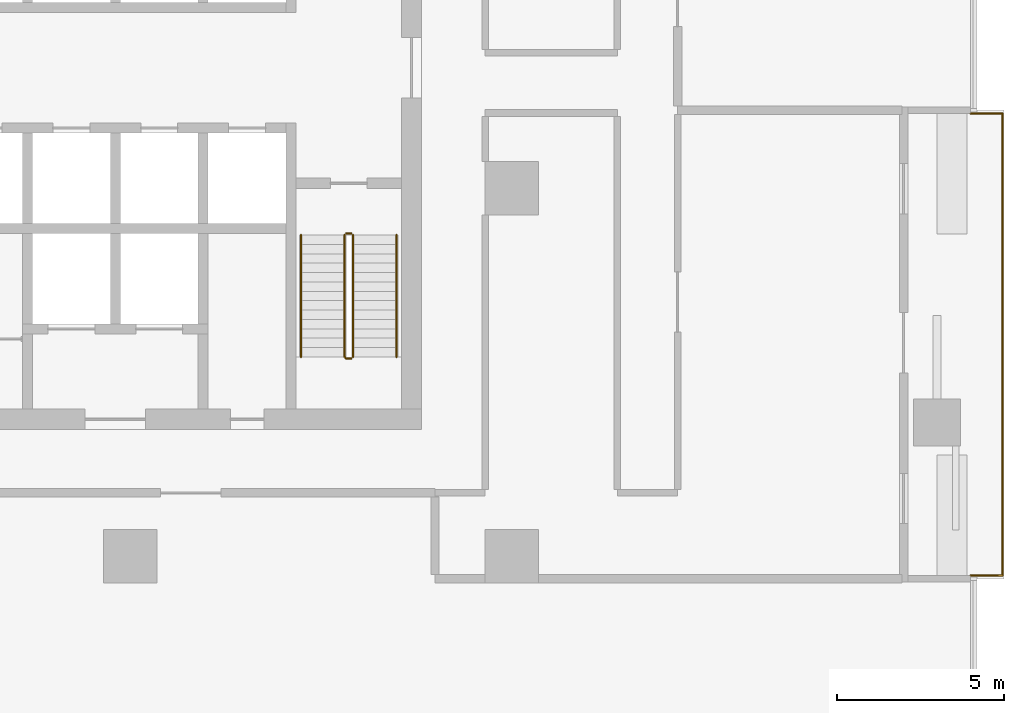
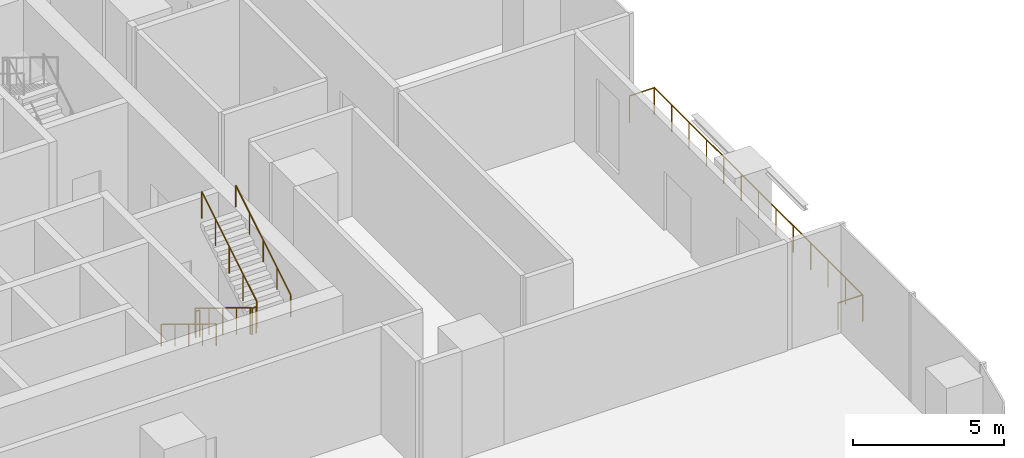
# One storey, part 13 of 14: 6 railings.
"""IFC4 building model written with IfcOpenShell, lengths in metres."""

from ifc_helpers import new_model, si_unit, direction, frame, origin, origin_2d, place, context, subcontext, project, spatial, circle, extrude, material, type_object, element, save


model = new_model("IFC4")

# Units and contexts
model_context = context("Model", 3, precision=1e-05, world=origin(), true_north=direction((0.0, 1.0)))
body_context = subcontext(model_context, "Body", "Model", "MODEL_VIEW")
ifc_project = project(units=[si_unit("LENGTHUNIT", "METRE"), si_unit("AREAUNIT", "SQUARE_METRE"), si_unit("VOLUMEUNIT", "CUBIC_METRE"), si_unit("PLANEANGLEUNIT", "RADIAN"), si_unit("MASSUNIT", "GRAM", prefix="KILO")], contexts=[model_context])

# Site, building, storey
site_placement = place(None, origin())
site = spatial("IfcSite", under=ifc_project, at=site_placement, CompositionType="ELEMENT")
building_placement = place(site_placement, origin())
building = spatial("IfcBuilding", under=site, at=building_placement, Name="Mopane Tessera Tower", CompositionType="ELEMENT")
storey_placement = place(building_placement, frame((0.0, 0.0, 50.199951171875)))
storey = spatial("IfcBuildingStorey", under=building, at=storey_placement, Name="L09", CompositionType="ELEMENT", Elevation=50.199951171875)

# Railings
ifc_material_1 = material(Name="Powder-coated steel balustrade", Category="steel")
railing_type_1 = type_object("IfcRailingType", Name="Escape stair guard 1100 mm", PredefinedType="GUARDRAIL", material=ifc_material_1)
railing_1_placement = place(storey_placement, frame((12.10009765625, -1.39990234375, 0.17138671875)))
element("IfcRailing", 1, at=railing_1_placement, inside=storey, type_object=railing_type_1, Name="L09 ST3 stair guard 1", PredefinedType="GUARDRAIL", context=body_context, shape_type="SweptSolid", body=[
    extrude(circle(Radius=0.02392578125, at=origin_2d()), frame((0.0, 0.0, 1.076171875), z_axis=(0.0, -0.852840387347, 0.522171689878), x_axis=(1.0, 0.0, 0.0)), (0.0, 0.0, 1.0), 4.268310546875),
    extrude(circle(Radius=0.02392578125, at=origin_2d()), frame((0.0, -3.64013671875, 3.3046875), z_axis=(0.705375805398, -0.708833529934, 0.0), x_axis=(0.708833529934, 0.705375805398, 0.0)), (0.0, 0.0, 1.0), 0.070556640625),
    extrude(circle(Radius=0.02392578125, at=origin_2d()), frame((0.0498046875, -3.690185546875, 3.3046875), z_axis=(1.0, 0.0, 0.0), x_axis=(0.0, 1.0, 0.0)), (0.0, 0.0, 1.0), 0.150146484375),
    extrude(circle(Radius=0.02099609375, at=origin_2d()), origin(), (0.0, 0.0, 1.0), 1.052001953125),
    extrude(circle(Radius=0.02099609375, at=origin_2d()), frame((0.0, -0.91015625, 0.55712890625)), (0.0, 0.0, 1.0), 1.052001953125),
    extrude(circle(Radius=0.02099609375, at=origin_2d()), frame((0.0, -1.820068359375, 1.1142578125)), (0.0, 0.0, 1.0), 1.052001953125),
    extrude(circle(Radius=0.02099609375, at=origin_2d()), frame((0.0, -2.72998046875, 1.671630859375)), (0.0, 0.0, 1.0), 1.052001953125),
    extrude(circle(Radius=0.02099609375, at=origin_2d()), frame((0.0, -3.64013671875, 2.228759765625)), (0.0, 0.0, 1.0), 1.052001953125),
    extrude(circle(Radius=0.02099609375, at=origin_2d()), frame((0.0498046875, -3.690185546875, 2.228759765625)), (0.0, 0.0, 1.0), 1.052001953125),
    extrude(circle(Radius=0.02099609375, at=origin_2d()), frame((0.199951171875, -3.690185546875, 2.228759765625)), (0.0, 0.0, 1.0), 1.052001953125),
])
railing_2_placement = place(storey_placement, frame((12.35009765625, -5.0400390625, 2.571533203125)))
element("IfcRailing", 2, at=railing_2_placement, inside=storey, type_object=railing_type_1, Name="L09 ST3 stair guard 2", PredefinedType="GUARDRAIL", context=body_context, shape_type="SweptSolid", body=[
    extrude(circle(Radius=0.02392578125, at=origin_2d()), frame((0.0, 0.0, 1.076171875), z_axis=(0.0, 0.852865859571, 0.52213008492), x_axis=(-1.0, 0.0, 0.0)), (0.0, 0.0, 1.0), 4.26806640625),
    extrude(circle(Radius=0.02099609375, at=origin_2d()), origin(), (0.0, 0.0, 1.0), 1.052001953125),
    extrude(circle(Radius=0.02099609375, at=origin_2d()), frame((0.0, 0.91015625, 0.55712890625)), (0.0, 0.0, 1.0), 1.052001953125),
    extrude(circle(Radius=0.02099609375, at=origin_2d()), frame((0.0, 1.820068359375, 1.1142578125)), (0.0, 0.0, 1.0), 1.052001953125),
    extrude(circle(Radius=0.02099609375, at=origin_2d()), frame((0.0, 2.72998046875, 1.67138671875)), (0.0, 0.0, 1.0), 1.052001953125),
    extrude(circle(Radius=0.02099609375, at=origin_2d()), frame((0.0, 3.64013671875, 2.228515625)), (0.0, 0.0, 1.0), 1.052001953125),
])
railing_3_placement = place(storey_placement, frame((12.14990234375, -1.35009765625, 0.0)))
element("IfcRailing", 3, at=railing_3_placement, inside=storey, type_object=railing_type_1, Name="L09 ST3 stair guard 3", PredefinedType="GUARDRAIL", context=body_context, shape_type="SweptSolid", body=[
    extrude(circle(Radius=0.02392578125, at=origin_2d()), frame((0.0, 0.0, 1.076171875), z_axis=(1.0, 0.0, 0.0), x_axis=(0.0, 1.0, 0.0)), (0.0, 0.0, 1.0), 0.150146484375),
    extrude(circle(Radius=0.02099609375, at=origin_2d()), origin(), (0.0, 0.0, 1.0), 1.052001953125),
    extrude(circle(Radius=0.02099609375, at=origin_2d()), frame((0.150146484375, 0.0, 0.0)), (0.0, 0.0, 1.0), 1.052001953125),
])
ifc_material_2 = material(Name="Powder-coated steel balustrade", Category="steel")
railing_type_2 = type_object("IfcRailingType", Name="Escape stair handrail 900 mm", PredefinedType="HANDRAIL", material=ifc_material_2)
railing_4_placement = place(storey_placement, frame((10.800048828125, -1.39990234375, 0.17138671875)))
element("IfcRailing", 4, at=railing_4_placement, inside=storey, type_object=railing_type_2, Name="L09 ST3 stair handrail 1", PredefinedType="HANDRAIL", context=body_context, shape_type="SweptSolid", body=[
    extrude(circle(Radius=0.02392578125, at=origin_2d()), frame((0.0, 0.0, 0.8759765625), z_axis=(0.0, -0.852840387347, 0.522171689878), x_axis=(1.0, 0.0, 0.0)), (0.0, 0.0, 1.0), 4.268310546875),
    extrude(circle(Radius=0.02099609375, at=origin_2d()), origin(), (0.0, 0.0, 1.0), 0.851806640625),
    extrude(circle(Radius=0.02099609375, at=origin_2d()), frame((0.0, -0.91015625, 0.55712890625)), (0.0, 0.0, 1.0), 0.851806640625),
    extrude(circle(Radius=0.02099609375, at=origin_2d()), frame((0.0, -1.820068359375, 1.1142578125)), (0.0, 0.0, 1.0), 0.851806640625),
    extrude(circle(Radius=0.02099609375, at=origin_2d()), frame((0.0, -2.72998046875, 1.671630859375)), (0.0, 0.0, 1.0), 0.851806640625),
    extrude(circle(Radius=0.02099609375, at=origin_2d()), frame((0.0, -3.64013671875, 2.228759765625)), (0.0, 0.0, 1.0), 0.851806640625),
])
railing_5_placement = place(storey_placement, frame((13.64990234375, -5.0400390625, 2.571533203125)))
element("IfcRailing", 5, at=railing_5_placement, inside=storey, type_object=railing_type_2, Name="L09 ST3 stair handrail 2", PredefinedType="HANDRAIL", context=body_context, shape_type="SweptSolid", body=[
    extrude(circle(Radius=0.02392578125, at=origin_2d()), frame((0.0, 0.0, 0.8759765625), z_axis=(0.0, 0.852865859571, 0.52213008492), x_axis=(-1.0, 0.0, 0.0)), (0.0, 0.0, 1.0), 4.26806640625),
    extrude(circle(Radius=0.02099609375, at=origin_2d()), origin(), (0.0, 0.0, 1.0), 0.851806640625),
    extrude(circle(Radius=0.02099609375, at=origin_2d()), frame((0.0, 0.91015625, 0.55712890625)), (0.0, 0.0, 1.0), 0.851806640625),
    extrude(circle(Radius=0.02099609375, at=origin_2d()), frame((0.0, 1.820068359375, 1.1142578125)), (0.0, 0.0, 1.0), 0.851806640625),
    extrude(circle(Radius=0.02099609375, at=origin_2d()), frame((0.0, 2.72998046875, 1.67138671875)), (0.0, 0.0, 1.0), 0.851806640625),
    extrude(circle(Radius=0.02099609375, at=origin_2d()), frame((0.0, 3.64013671875, 2.228515625)), (0.0, 0.0, 1.0), 0.851806640625),
])
ifc_material_3 = material(Name="Stainless steel S316", Category="steel")
railing_type_3 = type_object("IfcRailingType", Name="Terrace guard 1100", PredefinedType="GUARDRAIL", material=ifc_material_3)
railing_6_placement = place(storey_placement, frame((30.800048828125, -11.566650390625, 0.0)))
element("IfcRailing", 6, at=railing_6_placement, inside=storey, type_object=railing_type_3, Name="e:nw:L09:N1:guard", PredefinedType="GUARDRAIL", context=body_context, shape_type="SweptSolid", body=[
    extrude(circle(Radius=0.02392578125, at=origin_2d()), frame((0.0, 0.0, 1.076171875), z_axis=(1.0, 0.0, 0.0), x_axis=(0.0, 1.0, 0.0)), (0.0, 0.0, 1.0), 0.949951171875),
    extrude(circle(Radius=0.02392578125, at=origin_2d()), frame((0.949951171875, 0.0, 1.076171875), z_axis=(0.0, 1.0, 0.0), x_axis=(-1.0, 0.0, 0.0)), (0.0, 0.0, 1.0), 13.800048828125),
    extrude(circle(Radius=0.02392578125, at=origin_2d()), frame((0.949951171875, 13.800048828125, 1.076171875), z_axis=(-1.0, 0.0, 0.0), x_axis=(0.0, -1.0, 0.0)), (0.0, 0.0, 1.0), 0.949951171875),
    extrude(circle(Radius=0.02099609375, at=origin_2d()), origin(), (0.0, 0.0, 1.0), 1.052001953125),
    extrude(circle(Radius=0.02099609375, at=origin_2d()), frame((0.949951171875, 0.0, 0.0)), (0.0, 0.0, 1.0), 1.052001953125),
    extrude(circle(Radius=0.02099609375, at=origin_2d()), frame((0.949951171875, 1.14990234375, 0.0)), (0.0, 0.0, 1.0), 1.052001953125),
    extrude(circle(Radius=0.02099609375, at=origin_2d()), frame((0.949951171875, 2.300048828125, 0.0)), (0.0, 0.0, 1.0), 1.052001953125),
    extrude(circle(Radius=0.02099609375, at=origin_2d()), frame((0.949951171875, 3.449951171875, 0.0)), (0.0, 0.0, 1.0), 1.052001953125),
    extrude(circle(Radius=0.02099609375, at=origin_2d()), frame((0.949951171875, 4.60009765625, 0.0)), (0.0, 0.0, 1.0), 1.052001953125),
    extrude(circle(Radius=0.02099609375, at=origin_2d()), frame((0.949951171875, 5.75, 0.0)), (0.0, 0.0, 1.0), 1.052001953125),
    extrude(circle(Radius=0.02099609375, at=origin_2d()), frame((0.949951171875, 6.89990234375, 0.0)), (0.0, 0.0, 1.0), 1.052001953125),
    extrude(circle(Radius=0.02099609375, at=origin_2d()), frame((0.949951171875, 8.050048828125, 0.0)), (0.0, 0.0, 1.0), 1.052001953125),
    extrude(circle(Radius=0.02099609375, at=origin_2d()), frame((0.949951171875, 9.199951171875, 0.0)), (0.0, 0.0, 1.0), 1.052001953125),
    extrude(circle(Radius=0.02099609375, at=origin_2d()), frame((0.949951171875, 10.35009765625, 0.0)), (0.0, 0.0, 1.0), 1.052001953125),
    extrude(circle(Radius=0.02099609375, at=origin_2d()), frame((0.949951171875, 11.5, 0.0)), (0.0, 0.0, 1.0), 1.052001953125),
    extrude(circle(Radius=0.02099609375, at=origin_2d()), frame((0.949951171875, 12.650146484375, 0.0)), (0.0, 0.0, 1.0), 1.052001953125),
    extrude(circle(Radius=0.02099609375, at=origin_2d()), frame((0.949951171875, 13.800048828125, 0.0)), (0.0, 0.0, 1.0), 1.052001953125),
    extrude(circle(Radius=0.02099609375, at=origin_2d()), frame((0.0, 13.800048828125, 0.0)), (0.0, 0.0, 1.0), 1.052001953125),
])

save(model, "model.ifc")
